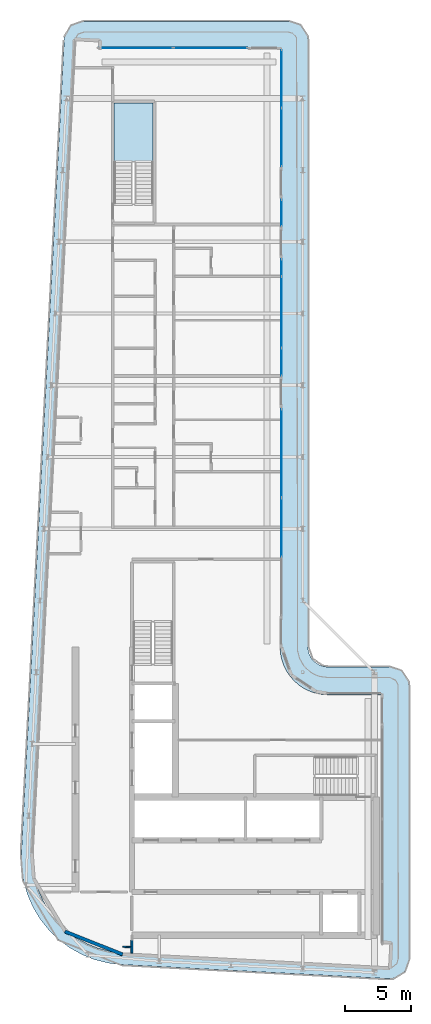
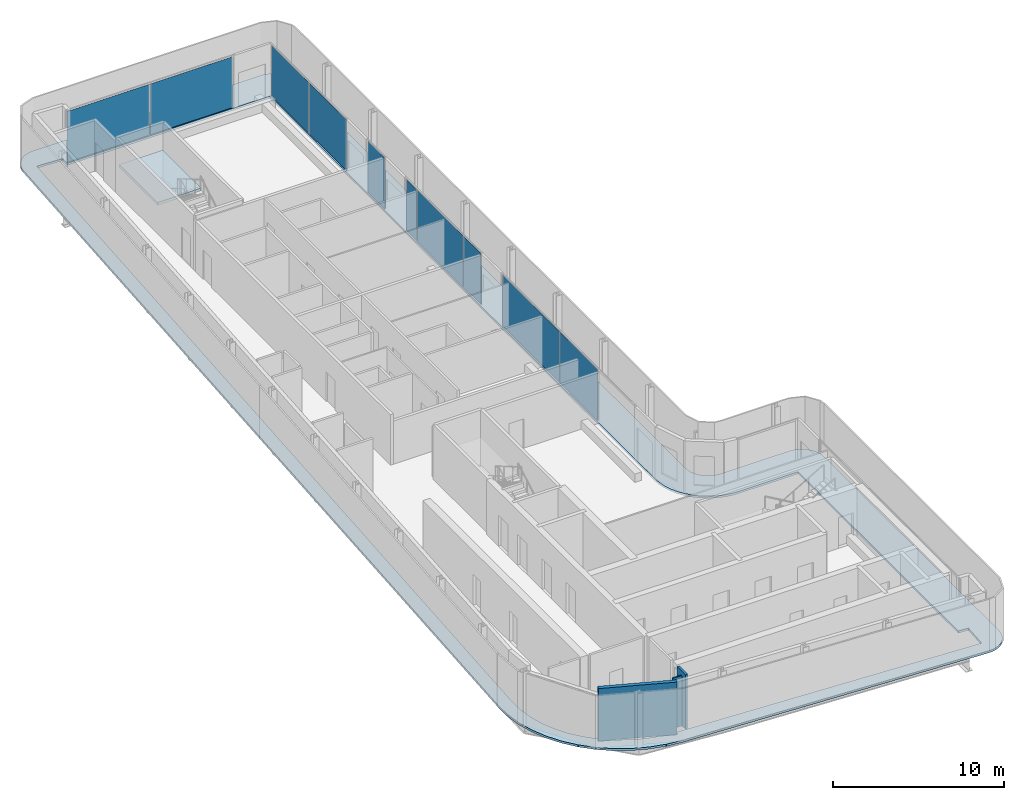
# One storey, part 8 of 19: 10 plates, 3 walls, 2 slabs, 8 elements without a shape of their own.
"""IFC4 building model written with IfcOpenShell, lengths in metres."""

from ifc_helpers import new_model, si_unit, direction, frame, frame_2d, origin, origin_2d, place, context, subcontext, project, spatial, polyline, rectangle, outline, extrude, material, layer, layer_set, type_object, element, aggregate, save


model = new_model("IFC4")

# Units and contexts
model_context = context("Model", 3, precision=1e-05, world=origin(), true_north=direction((0.0, 1.0)))
body_context = subcontext(model_context, "Body", "Model", "MODEL_VIEW")
ifc_project = project(units=[si_unit("LENGTHUNIT", "METRE"), si_unit("AREAUNIT", "SQUARE_METRE"), si_unit("VOLUMEUNIT", "CUBIC_METRE"), si_unit("PLANEANGLEUNIT", "RADIAN"), si_unit("MASSUNIT", "GRAM", prefix="KILO")], contexts=[model_context])

# Site, building, storey
site_placement = place(None, origin())
site = spatial("IfcSite", under=ifc_project, at=site_placement, CompositionType="ELEMENT")
building_placement = place(site_placement, origin())
building = spatial("IfcBuilding", under=site, at=building_placement, Name="Kheshtan School and Residences Tower", CompositionType="ELEMENT")
storey_placement = place(building_placement, frame((0.0, 0.0, 350.0)))
storey = spatial("IfcBuildingStorey", under=building, at=storey_placement, Name="L82", CompositionType="ELEMENT", Elevation=350.0)

# Curtain wall, plates
ifc_material_1 = material(Name="Clear low-e glass in thermally broken aluminium frame", Category="aluminium")
ifc_layer_1 = layer(ifc_material_1, 0.199951171875)
ifc_layer_set_1 = layer_set([ifc_layer_1], Name="Curtain wall CW-L")
curtain_wall_type = type_object("IfcCurtainWallType", Name="Curtain wall CW-L", PredefinedType="NOTDEFINED", material=ifc_layer_set_1)
curtain_wall_1_placement = place(storey_placement, origin())
curtain_wall_1 = element("IfcCurtainWall", 1, at=curtain_wall_1_placement, inside=storey, type_object=curtain_wall_type, Name="Curtain wall CWL3a", PredefinedType="NOTDEFINED")
ifc_layer_2 = layer(ifc_material_1, 0.031982421875)
ifc_layer_set_2 = layer_set([ifc_layer_2], Name="CW-L glass panel")
plate_type = type_object("IfcPlateType", Name="CW-L glass panel", PredefinedType="CURTAIN_PANEL", material=ifc_layer_set_2)
plate_1_placement = place(storey_placement, frame((35.0458984375, 92.60009765625, 0.0), z_axis=(0.0, 0.0, 1.0), x_axis=(1.0, 0.0, 0.0)))
plate_1 = element("IfcPlate", 2, at=plate_1_placement, type_object=plate_type, Name="CWL3a panel 1.1", PredefinedType="CURTAIN_PANEL", context=body_context, shape_type="SweptSolid", body=[
    extrude(rectangle(XDim=5.555908203125, YDim=0.031982421875, at=origin_2d()), origin(), (0.0, 0.0, 1.0), 3.6298828125),
])
plate_2_placement = place(storey_placement, frame((40.662109375, 92.60009765625, 0.0), z_axis=(0.0, 0.0, 1.0), x_axis=(1.0, 0.0, 0.0)))
plate_2 = element("IfcPlate", 3, at=plate_2_placement, type_object=plate_type, Name="CWL3a panel 2.1", PredefinedType="CURTAIN_PANEL", context=body_context, shape_type="SweptSolid", body=[
    extrude(rectangle(XDim=5.555908203125, YDim=0.031982421875, at=origin_2d()), origin(), (0.0, 0.0, 1.0), 3.6298828125),
])
aggregate(curtain_wall_1, [plate_1, plate_2])

curtain_wall_2_placement = place(storey_placement, origin())
curtain_wall_2 = element("IfcCurtainWall", 4, at=curtain_wall_2_placement, inside=storey, type_object=curtain_wall_type, Name="Curtain wall CWL4b", PredefinedType="NOTDEFINED")
plate_3_placement = place(storey_placement, frame((46.0, 90.26806640625, 0.0), z_axis=(0.0, 0.0, 1.0), x_axis=(0.0, -1.0, 0.0)))
plate_3 = element("IfcPlate", 5, at=plate_3_placement, type_object=plate_type, Name="CWL4b panel 1.1", PredefinedType="CURTAIN_PANEL", context=body_context, shape_type="SweptSolid", body=[
    extrude(rectangle(XDim=4.34375, YDim=0.031982421875, at=origin_2d()), origin(), (0.0, 0.0, 1.0), 3.6298828125),
])
plate_4_placement = place(storey_placement, frame((46.0, 85.8642578125, 0.0), z_axis=(0.0, 0.0, 1.0), x_axis=(0.0, -1.0, 0.0)))
plate_4 = element("IfcPlate", 6, at=plate_4_placement, type_object=plate_type, Name="CWL4b panel 2.1", PredefinedType="CURTAIN_PANEL", context=body_context, shape_type="SweptSolid", body=[
    extrude(rectangle(XDim=4.34375, YDim=0.031982421875, at=origin_2d()), origin(), (0.0, 0.0, 1.0), 3.6298828125),
])
aggregate(curtain_wall_2, [plate_3, plate_4])

# Curtain wall, plate
curtain_wall_3_placement = place(storey_placement, origin())
curtain_wall_3 = element("IfcCurtainWall", 7, at=curtain_wall_3_placement, inside=storey, type_object=curtain_wall_type, Name="Curtain wall CWL4c", PredefinedType="NOTDEFINED")
plate_5_placement = place(storey_placement, frame((46.0, 80.1826171875, 0.0), z_axis=(0.0, 0.0, 1.0), x_axis=(0.0, -1.0, 0.0)))
plate_5 = element("IfcPlate", 8, at=plate_5_placement, type_object=plate_type, Name="CWL4c panel 1.1", PredefinedType="CURTAIN_PANEL", context=body_context, shape_type="SweptSolid", body=[
    extrude(rectangle(XDim=1.97998046875, YDim=0.031982421875, at=origin_2d()), origin(), (0.0, 0.0, 1.0), 3.6298828125),
])
aggregate(curtain_wall_3, [plate_5])

# Curtain wall, plates
curtain_wall_4_placement = place(storey_placement, origin())
curtain_wall_4 = element("IfcCurtainWall", 9, at=curtain_wall_4_placement, inside=storey, type_object=curtain_wall_type, Name="Curtain wall CWL4l", PredefinedType="NOTDEFINED")
plate_6_placement = place(storey_placement, frame((46.0, 76.05126953125, 0.0), z_axis=(0.0, 0.0, 1.0), x_axis=(0.0, -1.0, 0.0)))
plate_6 = element("IfcPlate", 10, at=plate_6_placement, type_object=plate_type, Name="CWL4l panel 1.1", PredefinedType="CURTAIN_PANEL", context=body_context, shape_type="SweptSolid", body=[
    extrude(rectangle(XDim=1.242431640625, YDim=0.031982421875, at=origin_2d()), origin(), (0.0, 0.0, 1.0), 3.6298828125),
])
plate_7_placement = place(storey_placement, frame((46.0, 72.697509765625, 0.0), z_axis=(0.0, 0.0, 1.0), x_axis=(0.0, -1.0, 0.0)))
plate_7 = element("IfcPlate", 11, at=plate_7_placement, type_object=plate_type, Name="CWL4l panel 2.1", PredefinedType="CURTAIN_PANEL", context=body_context, shape_type="SweptSolid", body=[
    extrude(rectangle(XDim=5.344970703125, YDim=0.031982421875, at=origin_2d()), origin(), (0.0, 0.0, 1.0), 3.6298828125),
])
aggregate(curtain_wall_4, [plate_6, plate_7])

# Curtain wall, plate
curtain_wall_5_placement = place(storey_placement, origin())
curtain_wall_5 = element("IfcCurtainWall", 12, at=curtain_wall_5_placement, inside=storey, type_object=curtain_wall_type, Name="Curtain wall CWL4c", PredefinedType="NOTDEFINED")
plate_8_placement = place(storey_placement, frame((46.0, 68.945068359375, 0.0), z_axis=(0.0, 0.0, 1.0), x_axis=(0.0, -1.0, 0.0)))
plate_8 = element("IfcPlate", 13, at=plate_8_placement, type_object=plate_type, Name="CWL4c panel 1.1", PredefinedType="CURTAIN_PANEL", context=body_context, shape_type="SweptSolid", body=[
    extrude(rectangle(XDim=2.0400390625, YDim=0.031982421875, at=origin_2d()), origin(), (0.0, 0.0, 1.0), 3.6298828125),
])
aggregate(curtain_wall_5, [plate_8])

curtain_wall_6_placement = place(storey_placement, origin())
curtain_wall_6 = element("IfcCurtainWall", 14, at=curtain_wall_6_placement, inside=storey, type_object=curtain_wall_type, Name="Curtain wall CWL4m", PredefinedType="NOTDEFINED")
plate_9_placement = place(storey_placement, frame((46.0, 62.081298828125, 0.0), z_axis=(0.0, 0.0, 1.0), x_axis=(0.0, -1.0, 0.0)))
plate_9 = element("IfcPlate", 15, at=plate_9_placement, type_object=plate_type, Name="CWL4m panel 1.1", PredefinedType="CURTAIN_PANEL", context=body_context, shape_type="SweptSolid", body=[
    extrude(rectangle(XDim=6.6474609375, YDim=0.031982421875, at=origin_2d()), origin(), (0.0, 0.0, 1.0), 3.6298828125),
])
aggregate(curtain_wall_6, [plate_9])

curtain_wall_7_placement = place(storey_placement, origin())
curtain_wall_7 = element("IfcCurtainWall", 16, at=curtain_wall_7_placement, inside=storey, type_object=curtain_wall_type, Name="Curtain wall CWL4b", PredefinedType="NOTDEFINED")
plate_10_placement = place(storey_placement, frame((46.0, 56.49560546875, 0.0), z_axis=(0.0, 0.0, 1.0), x_axis=(0.0, -1.0, 0.0)))
plate_10 = element("IfcPlate", 17, at=plate_10_placement, type_object=plate_type, Name="CWL4b panel 1.1", PredefinedType="CURTAIN_PANEL", context=body_context, shape_type="SweptSolid", body=[
    extrude(rectangle(XDim=4.40380859375, YDim=0.031982421875, at=origin_2d()), origin(), (0.0, 0.0, 1.0), 3.6298828125),
])
aggregate(curtain_wall_7, [plate_10])

# Slab
ifc_material_2 = material(Name="Concrete C40/50", Category="concrete")
ifc_layer_3 = layer(ifc_material_2, 0.14990234375)
ifc_layer_set_3 = layer_set([ifc_layer_3], Name="Loggia balcony slab 150 Concrete C40/50")
slab_type_1 = type_object("IfcSlabType", Name="Loggia balcony slab 150 Concrete C40/50", PredefinedType="FLOOR", material=ifc_layer_set_3)
slab_1_placement = place(storey_placement, frame((0.0, 0.0, -0.14990234375)))
element("IfcSlab", 18, at=slab_1_placement, inside=storey, type_object=slab_type_1, Name="Loggia balcony slab L82", PredefinedType="FLOOR", context=body_context, shape_type="SweptSolid", body=[
    extrude(outline(polyline([(28.4580078125, 26.222900390625), (28.45703125, 26.222900390625), (28.45703125, 26.22412109375), (28.4560546875, 26.22412109375), (27.81494140625, 27.0390625), (27.281005859375, 27.93798828125), (26.867919921875, 28.89990234375), (26.583984375, 29.89990234375), (26.583984375, 29.906982421875), (26.43408203125, 30.943115234375), (26.419921875, 31.989013671875), (29.64111328125, 93.178955078125), (29.64697265625, 93.22705078125), (29.64697265625, 93.22802734375), (29.64599609375, 93.22802734375), (29.64599609375, 93.22900390625), (29.64501953125, 93.22900390625), (29.64501953125, 93.22998046875), (29.64404296875, 93.22998046875), (29.64404296875, 93.23095703125), (29.64306640625, 93.23095703125), (29.64306640625, 93.23193359375), (29.64306640625, 93.23291015625), (29.660888671875, 93.381103515625), (29.660888671875, 93.384033203125), (29.660888671875, 93.385009765625), (29.662109375, 93.385009765625), (29.662109375, 93.385986328125), (29.6630859375, 93.385986328125), (29.6630859375, 93.386962890625), (29.6640625, 93.386962890625), (29.6650390625, 93.386962890625), (29.6650390625, 93.387939453125), (29.666015625, 93.387939453125), (29.666015625, 93.388916015625), (29.666015625, 93.39111328125), (29.718994140625, 93.583984375), (29.799072265625, 93.77490234375), (29.905029296875, 93.952880859375), (30.027099609375, 94.10693359375), (30.028076171875, 94.10693359375), (30.028076171875, 94.10791015625), (30.029052734375, 94.10791015625), (30.029052734375, 94.10888671875), (30.030029296875, 94.10888671875), (30.030029296875, 94.110107421875), (30.031005859375, 94.110107421875), (30.031005859375, 94.111083984375), (30.031982421875, 94.111083984375), (30.031982421875, 94.112060546875), (30.032958984375, 94.112060546875), (30.032958984375, 94.113037109375), (30.033935546875, 94.113037109375), (30.035888671875, 94.113037109375), (30.037109375, 94.113037109375), (30.037109375, 94.114013671875), (30.18408203125, 94.257080078125), (30.18505859375, 94.257080078125), (30.18505859375, 94.258056640625), (30.18603515625, 94.258056640625), (30.18603515625, 94.259033203125), (30.18701171875, 94.259033203125), (30.18701171875, 94.260009765625), (30.18798828125, 94.260009765625), (30.18798828125, 94.260986328125), (30.18896484375, 94.260986328125), (30.18896484375, 94.261962890625), (30.18994140625, 94.261962890625), (30.18994140625, 94.262939453125), (30.19091796875, 94.262939453125), (30.19091796875, 94.263916015625), (30.35205078125, 94.376953125), (30.534912109375, 94.472900390625), (30.722900390625, 94.54296875), (30.72998046875, 94.54296875), (30.93310546875, 94.5859375), (31.138916015625, 94.60009765625), (46.5, 94.60009765625), (46.696044921875, 94.5869140625), (46.887939453125, 94.549072265625), (46.89501953125, 94.549072265625), (47.073974609375, 94.486083984375), (47.242919921875, 94.40087890625), (47.243896484375, 94.40087890625), (47.2470703125, 94.40087890625), (47.248046875, 94.40087890625), (47.248046875, 94.402099609375), (47.2490234375, 94.402099609375), (47.2490234375, 94.403076171875), (47.25, 94.403076171875), (47.2529296875, 94.403076171875), (47.25390625, 94.403076171875), (47.25390625, 94.402099609375), (47.2548828125, 94.402099609375), (47.2548828125, 94.40087890625), (47.256103515625, 94.40087890625), (47.256103515625, 94.39990234375), (47.257080078125, 94.39990234375), (47.257080078125, 94.39892578125), (47.258056640625, 94.39892578125), (47.258056640625, 94.39794921875), (47.412109375, 94.2958984375), (47.4130859375, 94.2958984375), (47.4130859375, 94.294921875), (47.4140625, 94.294921875), (47.4140625, 94.2939453125), (47.4140625, 94.2900390625), (47.4140625, 94.2890625), (47.4150390625, 94.2890625), (47.4150390625, 94.2880859375), (47.416015625, 94.2880859375), (47.416015625, 94.287109375), (47.4169921875, 94.287109375), (47.4169921875, 94.285888671875), (47.554931640625, 94.16796875), (47.554931640625, 94.1669921875), (47.555908203125, 94.1669921875), (47.555908203125, 94.166015625), (47.556884765625, 94.166015625), (47.556884765625, 94.1650390625), (47.55810546875, 94.1650390625), (47.55810546875, 94.1640625), (47.55908203125, 94.1640625), (47.55908203125, 94.1630859375), (47.56005859375, 94.1630859375), (47.56005859375, 94.162109375), (47.56103515625, 94.162109375), (47.56201171875, 94.160888671875), (47.56201171875, 94.159912109375), (47.56298828125, 94.159912109375), (47.56298828125, 94.158935546875), (47.56396484375, 94.158935546875), (47.56396484375, 94.157958984375), (47.56494140625, 94.157958984375), (47.56494140625, 94.156982421875), (47.56591796875, 94.156982421875), (47.56591796875, 94.156005859375), (47.56689453125, 94.156005859375), (47.56689453125, 94.155029296875), (47.568115234375, 94.155029296875), (47.68505859375, 94.01806640625), (47.68603515625, 94.01806640625), (47.68603515625, 94.01708984375), (47.68701171875, 94.01708984375), (47.68701171875, 94.01611328125), (47.68798828125, 94.01611328125), (47.68798828125, 94.014892578125), (47.68896484375, 94.014892578125), (47.68896484375, 94.013916015625), (47.68994140625, 94.013916015625), (47.694091796875, 94.013916015625), (47.695068359375, 94.013916015625), (47.695068359375, 94.012939453125), (47.696044921875, 94.012939453125), (47.696044921875, 94.011962890625), (47.797119140625, 93.85888671875), (47.798095703125, 93.85888671875), (47.798095703125, 93.85791015625), (47.799072265625, 93.85791015625), (47.799072265625, 93.85693359375), (47.800048828125, 93.85693359375), (47.800048828125, 93.85595703125), (47.801025390625, 93.85595703125), (47.801025390625, 93.85498046875), (47.802001953125, 93.85498046875), (47.802001953125, 93.85400390625), (47.802978515625, 93.85400390625), (47.802978515625, 93.85302734375), (47.802978515625, 93.85009765625), (47.802978515625, 93.84912109375), (47.802001953125, 93.84912109375), (47.802001953125, 93.847900390625), (47.801025390625, 93.847900390625), (47.801025390625, 93.846923828125), (47.801025390625, 93.843994140625), (47.801025390625, 93.843017578125), (47.885986328125, 93.674072265625), (47.948974609375, 93.4951171875), (47.948974609375, 93.488037109375), (47.987060546875, 93.2958984375), (48.0, 93.10009765625), (48.0, 47.5), (48.012939453125, 47.303955078125), (48.051025390625, 47.113037109375), (48.051025390625, 47.10693359375), (48.051025390625, 47.10595703125), (48.114013671875, 46.926025390625), (48.200927734375, 46.75), (48.31005859375, 46.5869140625), (48.431884765625, 46.444091796875), (48.43310546875, 46.444091796875), (48.43310546875, 46.443115234375), (48.43408203125, 46.443115234375), (48.43408203125, 46.44189453125), (48.43505859375, 46.44189453125), (48.43505859375, 46.44091796875), (48.43603515625, 46.44091796875), (48.43603515625, 46.43994140625), (48.43701171875, 46.43994140625), (48.43701171875, 46.43896484375), (48.43798828125, 46.43896484375), (48.43896484375, 46.43798828125), (48.43896484375, 46.43701171875), (48.43994140625, 46.43701171875), (48.43994140625, 46.43603515625), (48.44091796875, 46.43603515625), (48.44091796875, 46.43505859375), (48.44189453125, 46.43505859375), (48.44189453125, 46.43408203125), (48.443115234375, 46.43408203125), (48.443115234375, 46.43310546875), (48.444091796875, 46.43310546875), (48.444091796875, 46.431884765625), (48.5869140625, 46.31005859375), (48.75, 46.200927734375), (48.926025390625, 46.114013671875), (49.10595703125, 46.051025390625), (49.10693359375, 46.051025390625), (49.113037109375, 46.051025390625), (49.303955078125, 46.012939453125), (49.5, 46.0), (54.10009765625, 46.0), (54.2958984375, 45.987060546875), (54.488037109375, 45.948974609375), (54.4951171875, 45.948974609375), (54.674072265625, 45.885986328125), (54.842041015625, 45.801025390625), (54.843017578125, 45.801025390625), (54.846923828125, 45.801025390625), (54.847900390625, 45.801025390625), (54.847900390625, 45.802001953125), (54.84912109375, 45.802001953125), (54.84912109375, 45.802978515625), (54.85009765625, 45.802978515625), (54.85302734375, 45.802978515625), (54.85400390625, 45.802978515625), (54.85400390625, 45.802001953125), (54.85498046875, 45.802001953125), (54.85498046875, 45.801025390625), (54.85595703125, 45.801025390625), (54.85595703125, 45.800048828125), (54.85693359375, 45.800048828125), (54.85693359375, 45.799072265625), (54.85791015625, 45.799072265625), (54.85791015625, 45.798095703125), (54.85888671875, 45.798095703125), (54.85888671875, 45.797119140625), (54.860107421875, 45.797119140625), (54.860107421875, 45.7958984375), (55.011962890625, 45.696044921875), (55.012939453125, 45.696044921875), (55.012939453125, 45.695068359375), (55.013916015625, 45.695068359375), (55.013916015625, 45.694091796875), (55.013916015625, 45.68994140625), (55.013916015625, 45.68896484375), (55.014892578125, 45.68896484375), (55.014892578125, 45.68798828125), (55.01611328125, 45.68798828125), (55.01611328125, 45.68701171875), (55.01708984375, 45.68701171875), (55.01708984375, 45.68603515625), (55.01806640625, 45.68603515625), (55.01806640625, 45.68505859375), (55.01904296875, 45.68505859375), (55.01904296875, 45.68408203125), (55.155029296875, 45.568115234375), (55.155029296875, 45.56689453125), (55.156005859375, 45.56689453125), (55.156005859375, 45.56591796875), (55.156982421875, 45.56591796875), (55.156982421875, 45.56494140625), (55.157958984375, 45.56494140625), (55.157958984375, 45.56396484375), (55.158935546875, 45.56396484375), (55.158935546875, 45.56298828125), (55.159912109375, 45.56298828125), (55.159912109375, 45.56201171875), (55.160888671875, 45.56201171875), (55.162109375, 45.56103515625), (55.162109375, 45.56005859375), (55.1630859375, 45.56005859375), (55.1630859375, 45.55908203125), (55.1640625, 45.55908203125), (55.1640625, 45.55810546875), (55.1650390625, 45.55810546875), (55.1650390625, 45.556884765625), (55.166015625, 45.556884765625), (55.166015625, 45.555908203125), (55.1669921875, 45.555908203125), (55.1669921875, 45.554931640625), (55.16796875, 45.554931640625), (55.281982421875, 45.4208984375), (55.282958984375, 45.4208984375), (55.282958984375, 45.419921875), (55.283935546875, 45.419921875), (55.283935546875, 45.4189453125), (55.284912109375, 45.4189453125), (55.284912109375, 45.41796875), (55.285888671875, 45.41796875), (55.285888671875, 45.4169921875), (55.287109375, 45.4169921875), (55.287109375, 45.416015625), (55.2880859375, 45.416015625), (55.2880859375, 45.4150390625), (55.2890625, 45.4150390625), (55.2890625, 45.4140625), (55.2900390625, 45.4140625), (55.2939453125, 45.4140625), (55.294921875, 45.4140625), (55.294921875, 45.4130859375), (55.2958984375, 45.4130859375), (55.2958984375, 45.412109375), (55.39404296875, 45.261962890625), (55.39501953125, 45.261962890625), (55.39501953125, 45.260986328125), (55.39599609375, 45.260986328125), (55.39599609375, 45.260009765625), (55.39697265625, 45.260009765625), (55.39697265625, 45.259033203125), (55.39794921875, 45.259033203125), (55.39794921875, 45.258056640625), (55.39892578125, 45.258056640625), (55.39892578125, 45.257080078125), (55.39990234375, 45.257080078125), (55.39990234375, 45.256103515625), (55.40087890625, 45.256103515625), (55.40087890625, 45.2548828125), (55.402099609375, 45.2548828125), (55.402099609375, 45.25390625), (55.403076171875, 45.25390625), (55.403076171875, 45.2529296875), (55.403076171875, 45.25), (55.403076171875, 45.2490234375), (55.402099609375, 45.2490234375), (55.402099609375, 45.248046875), (55.40087890625, 45.248046875), (55.40087890625, 45.2470703125), (55.40087890625, 45.240966796875), (55.40087890625, 45.239990234375), (55.486083984375, 45.073974609375), (55.549072265625, 44.89501953125), (55.549072265625, 44.887939453125), (55.5869140625, 44.696044921875), (55.60009765625, 44.5), (55.60009765625, 24.02294921875), (55.5859375, 23.821044921875), (55.544921875, 23.6220703125), (55.544921875, 23.614990234375), (55.47802734375, 23.430908203125), (55.385986328125, 23.25), (55.27099609375, 23.0849609375), (55.27099609375, 23.083984375), (55.27099609375, 23.0830078125), (55.27099609375, 23.08203125), (55.27197265625, 23.08203125), (55.27197265625, 23.0810546875), (55.27197265625, 23.0791015625), (55.27197265625, 23.077880859375), (55.27099609375, 23.077880859375), (55.27099609375, 23.076904296875), (55.137939453125, 22.93408203125), (55.135009765625, 22.930908203125), (55.134033203125, 22.930908203125), (55.134033203125, 22.929931640625), (55.133056640625, 22.929931640625), (55.131103515625, 22.929931640625), (55.1298828125, 22.929931640625), (55.1298828125, 22.930908203125), (55.12890625, 22.930908203125), (55.1279296875, 22.930908203125), (55.126953125, 22.930908203125), (54.97607421875, 22.805908203125), (54.803955078125, 22.698974609375), (54.618896484375, 22.615966796875), (54.430908203125, 22.55908203125), (54.424072265625, 22.55908203125), (54.22412109375, 22.528076171875), (54.02099609375, 22.52490234375), (33.989013671875, 23.580078125), (33.94189453125, 23.5859375), (33.94091796875, 23.5859375), (33.93994140625, 23.5859375), (33.93994140625, 23.5849609375), (33.93896484375, 23.5849609375), (33.93896484375, 23.583984375), (33.93798828125, 23.583984375), (33.93798828125, 23.5830078125), (33.93701171875, 23.5830078125), (33.93701171875, 23.58203125), (33.93603515625, 23.58203125), (33.93505859375, 23.58203125), (32.952880859375, 23.697998046875), (32.949951171875, 23.697998046875), (32.948974609375, 23.697998046875), (32.948974609375, 23.698974609375), (32.947998046875, 23.698974609375), (32.947998046875, 23.699951171875), (32.947021484375, 23.699951171875), (32.947021484375, 23.700927734375), (32.947021484375, 23.702880859375), (32.947021484375, 23.7041015625), (32.946044921875, 23.7041015625), (32.946044921875, 23.705078125), (32.945068359375, 23.705078125), (32.944091796875, 23.705078125), (31.93603515625, 23.9609375), (31.928955078125, 23.9609375), (30.964111328125, 24.34912109375), (30.051025390625, 24.860107421875), (29.218994140625, 25.47900390625), (29.218994140625, 25.47998046875), (29.218017578125, 25.47998046875), (29.218017578125, 25.48095703125), (29.217041015625, 25.48095703125), (29.217041015625, 25.48193359375), (29.216064453125, 25.48193359375), (29.216064453125, 25.48291015625), (29.215087890625, 25.48291015625), (29.215087890625, 25.48388671875), (29.214111328125, 25.48388671875), (29.214111328125, 25.485107421875), (29.212890625, 25.485107421875), (29.212890625, 25.486083984375), (29.2119140625, 25.486083984375), (28.466064453125, 26.217041015625), (28.466064453125, 26.218017578125), (28.465087890625, 26.218017578125), (28.462890625, 26.218017578125), (28.4619140625, 26.218017578125), (28.4619140625, 26.218994140625), (28.4609375, 26.218994140625), (28.4609375, 26.219970703125), (28.4599609375, 26.219970703125), (28.4599609375, 26.220947265625), (28.458984375, 26.220947265625), (28.458984375, 26.221923828125), (28.4580078125, 26.221923828125), (28.4580078125, 26.222900390625)]), holes=[polyline([(27.466064453125, 30.0869140625), (27.718017578125, 29.200927734375), (28.0849609375, 28.345947265625), (28.55908203125, 27.550048828125), (29.126953125, 26.825927734375), (29.1279296875, 26.825927734375), (29.1279296875, 26.824951171875), (29.12890625, 26.824951171875), (29.12890625, 26.823974609375), (29.1298828125, 26.823974609375), (29.1298828125, 26.822998046875), (29.131103515625, 26.822998046875), (29.131103515625, 26.822021484375), (29.132080078125, 26.822021484375), (29.132080078125, 26.821044921875), (29.133056640625, 26.821044921875), (29.133056640625, 26.820068359375), (29.134033203125, 26.820068359375), (29.794921875, 26.173095703125), (29.794921875, 26.172119140625), (29.7958984375, 26.172119140625), (29.798095703125, 26.172119140625), (29.799072265625, 26.172119140625), (29.799072265625, 26.1708984375), (29.800048828125, 26.1708984375), (29.800048828125, 26.169921875), (29.801025390625, 26.169921875), (29.801025390625, 26.1689453125), (29.802001953125, 26.1689453125), (29.802001953125, 26.16796875), (29.802978515625, 26.16796875), (29.802978515625, 26.1669921875), (29.803955078125, 26.1669921875), (29.803955078125, 26.166015625), (30.541015625, 25.616943359375), (31.35205078125, 25.1630859375), (32.208984375, 24.819091796875), (32.2099609375, 24.819091796875), (32.216064453125, 24.819091796875), (33.114990234375, 24.590087890625), (34.06591796875, 24.47705078125), (54.0380859375, 23.425048828125), (54.06494140625, 23.426025390625), (54.06591796875, 23.426025390625), (54.06689453125, 23.426025390625), (54.06689453125, 23.427001953125), (54.068115234375, 23.427001953125), (54.068115234375, 23.427978515625), (54.068115234375, 23.428955078125), (54.157958984375, 25.117919921875), (54.157958984375, 25.118896484375), (54.157958984375, 25.1201171875), (54.156982421875, 25.1201171875), (54.156982421875, 25.12109375), (54.156005859375, 25.12109375), (54.155029296875, 25.12109375), (53.5009765625, 25.156005859375), (53.5, 25.156005859375), (53.5, 25.156982421875), (53.5, 43.89794921875), (53.5, 43.89892578125), (53.4990234375, 43.89892578125), (53.4990234375, 43.89990234375), (53.498046875, 43.89990234375), (49.429931640625, 43.89990234375), (49.030029296875, 43.927001953125), (48.569091796875, 44.01806640625), (48.56201171875, 44.01806640625), (48.1201171875, 44.169921875), (47.697021484375, 44.37890625), (47.30810546875, 44.638916015625), (46.95703125, 44.944091796875), (46.95703125, 44.945068359375), (46.9560546875, 44.945068359375), (46.9560546875, 44.946044921875), (46.955078125, 44.946044921875), (46.955078125, 44.947021484375), (46.9541015625, 44.947021484375), (46.9541015625, 44.947998046875), (46.952880859375, 44.947998046875), (46.952880859375, 44.948974609375), (46.951904296875, 44.948974609375), (46.951904296875, 44.949951171875), (46.951904296875, 44.950927734375), (46.950927734375, 44.950927734375), (46.950927734375, 44.951904296875), (46.949951171875, 44.951904296875), (46.948974609375, 44.951904296875), (46.948974609375, 44.952880859375), (46.947998046875, 44.952880859375), (46.947998046875, 44.9541015625), (46.947021484375, 44.9541015625), (46.947021484375, 44.955078125), (46.946044921875, 44.955078125), (46.946044921875, 44.9560546875), (46.945068359375, 44.9560546875), (46.945068359375, 44.95703125), (46.944091796875, 44.95703125), (46.638916015625, 45.30810546875), (46.37890625, 45.697021484375), (46.169921875, 46.1201171875), (46.01806640625, 46.56201171875), (46.01806640625, 46.569091796875), (45.927001953125, 47.030029296875), (45.89990234375, 47.429931640625), (45.89990234375, 92.498046875), (45.89990234375, 92.4990234375), (45.89892578125, 92.4990234375), (45.89892578125, 92.5), (45.89794921875, 92.5), (32.208984375, 92.5), (32.2080078125, 92.5), (32.237060546875, 93.0390625), (32.237060546875, 93.0400390625), (32.237060546875, 93.041015625), (32.236083984375, 93.041015625), (32.236083984375, 93.0419921875), (32.235107421875, 93.0419921875), (32.23388671875, 93.0419921875), (30.544921875, 93.132080078125), (30.5439453125, 93.132080078125), (30.54296875, 93.132080078125), (30.54296875, 93.131103515625), (30.5419921875, 93.131103515625), (30.5419921875, 93.1298828125), (30.5419921875, 93.12890625), (30.5380859375, 93.10107421875), (27.320068359375, 31.970947265625), (27.3330078125, 31.013916015625), (27.466064453125, 30.093994140625), (27.466064453125, 30.087890625), (27.466064453125, 30.0869140625)])]), origin(), (0.0, 0.0, 1.0), 0.14990234375),
])

# Stair, slab
stair_type = type_object("IfcStairType", Name="Exit stair, half-turn", PredefinedType="HALF_TURN_STAIR", material=ifc_material_2)
stair_placement = place(storey_placement, origin())
stair = element("IfcStair", 19, at=stair_placement, inside=storey, type_object=stair_type, Name="L82 Protected Exit Stair ST3", PredefinedType="HALF_TURN_STAIR")
ifc_layer_4 = layer(ifc_material_2, 0.199951171875)
ifc_layer_set_4 = layer_set([ifc_layer_4], Name="Stair landing 200 Concrete C40/50")
slab_type_2 = type_object("IfcSlabType", Name="Stair landing 200 Concrete C40/50", PredefinedType="LANDING", material=ifc_layer_set_4)
slab_2_placement = place(storey_placement, frame((0.0, 0.0, 1.75)))
slab_2 = element("IfcSlab", 20, at=slab_2_placement, type_object=slab_type_2, Name="ST3 landing 1", PredefinedType="LANDING", context=body_context, shape_type="SweptSolid", body=[
    extrude(outline(polyline([(36.35009765625, 83.97998046875), (36.35009765625, 88.4599609375), (33.39990234375, 88.4599609375), (33.39990234375, 83.97998046875), (36.35009765625, 83.97998046875)])), origin(), (0.0, 0.0, 1.0), 0.199951171875),
])
aggregate(stair, [slab_2])

# Walls
ifc_material_3 = material(Name="Concrete C40/50 with ceramic cladding and mineral wool insulation", Category="concrete")
ifc_layer_5 = layer(ifc_material_3, 0.25)
ifc_layer_set_5 = layer_set([ifc_layer_5], Name="External wall 250 ceramic clad")
wall_type_1 = type_object("IfcWallType", Name="External wall 250 ceramic clad", PredefinedType="SOLIDWALL", material=ifc_layer_set_5)
wall_1_placement = place(storey_placement, frame((34.0390625, 24.35302734375, 0.0), z_axis=(0.0, 0.0, 1.0), x_axis=(-0.929352825399, 0.369192803184, 0.0)))
element("IfcWall", 21, at=wall_1_placement, inside=storey, type_object=wall_type_1, Name="External wall L82 13", PredefinedType="SOLIDWALL", context=body_context, shape_type="SweptSolid", body=[
    extrude(rectangle(XDim=4.656005859375, YDim=0.25, at=frame_2d((2.328125, 0.0))), origin(), (0.0, 0.0, 1.0), 3.75),
])
ifc_material_4 = material(Name="Gypsum board on steel studs", Category="steel")
ifc_layer_6 = layer(ifc_material_4, 0.10009765625)
ifc_layer_set_6 = layer_set([ifc_layer_6], Name="Gypsum partition 100")
wall_type_2 = type_object("IfcWallType", Name="Gypsum partition 100", PredefinedType="PARTITIONING", material=ifc_layer_set_6)
wall_2_placement = place(storey_placement, frame((34.06298828125, 24.928955078125, 0.0), z_axis=(0.0, 0.0, 1.0), x_axis=(0.99864189377, -0.052099597007, 0.0)))
element("IfcWall", 22, at=wall_2_placement, inside=storey, type_object=wall_type_2, Name="Partition L82-015", PredefinedType="PARTITIONING", context=body_context, shape_type="SweptSolid", body=[
    extrude(rectangle(XDim=0.61376953125, YDim=0.10009765625, at=frame_2d((0.306884765625, 0.0))), origin(), (0.0, 0.0, 1.0), 3.60009765625),
])
ifc_material_5 = material(Name="Fire-board shaft wall system")
ifc_layer_7 = layer(ifc_material_5, 0.14990234375)
ifc_layer_set_7 = layer_set([ifc_layer_7], Name="Service room wall 150")
wall_type_3 = type_object("IfcWallType", Name="Service room wall 150", PredefinedType="PARTITIONING", material=ifc_layer_set_7)
wall_3_placement = place(storey_placement, frame((34.75, 24.444091796875, 0.0), z_axis=(0.0, 0.0, 1.0), x_axis=(0.0, 1.0, 0.0)))
element("IfcWall", 23, at=wall_3_placement, inside=storey, type_object=wall_type_3, Name="Service room wall", PredefinedType="PARTITIONING", context=body_context, shape_type="SweptSolid", body=[
    extrude(rectangle(XDim=0.98583984375, YDim=0.14990234375, at=frame_2d((0.492919921875, 0.0))), origin(), (0.0, 0.0, 1.0), 3.89990234375),
])

save(model, "model.ifc")
